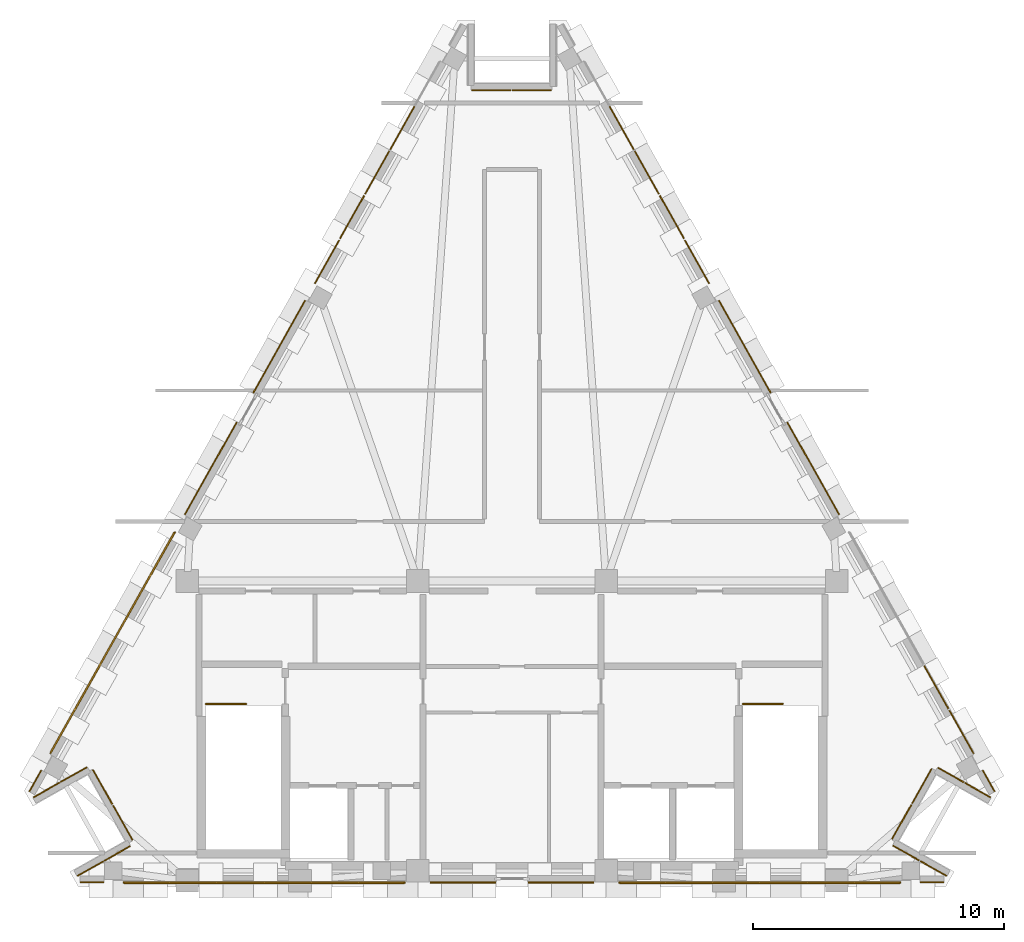
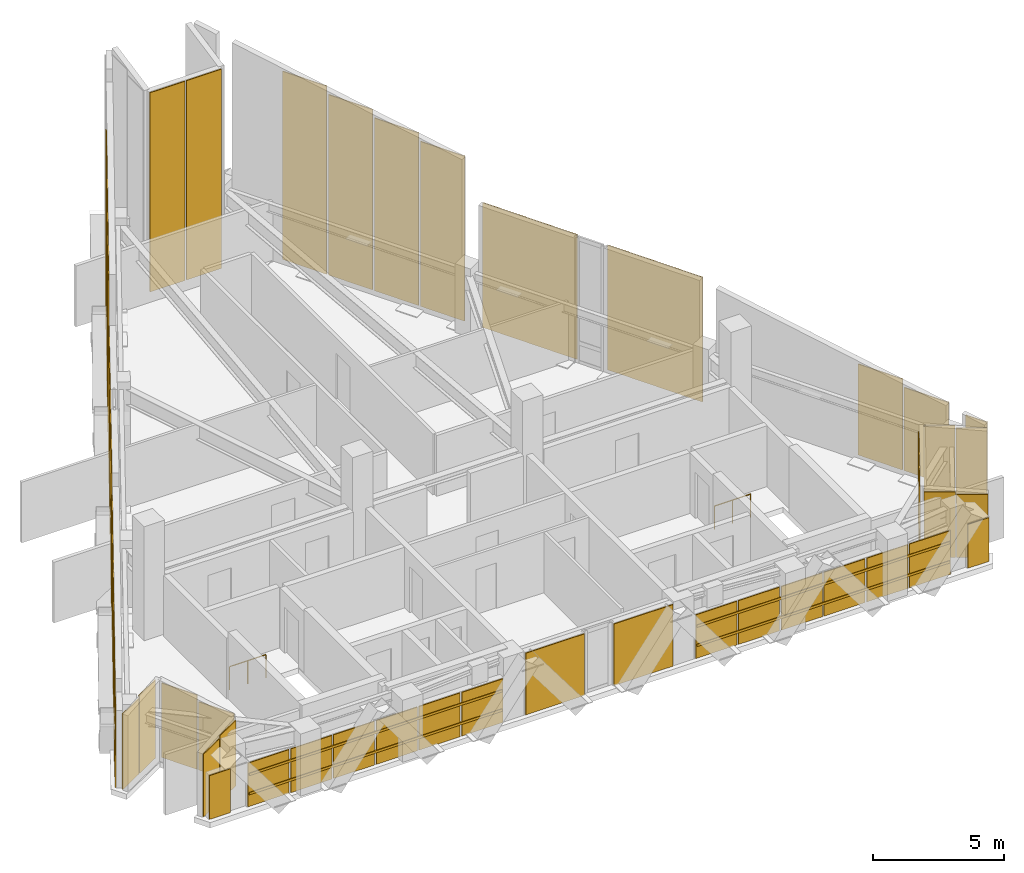
# One storey, part 6 of 7: 51 coverings, 6 shading devices, 2 railings.
"""IFC4 building model written with IfcOpenShell, lengths in metres."""

from ifc_helpers import new_model, si_unit, direction, frame, origin, origin_2d, place, context, subcontext, project, spatial, polyline, rectangle, circle, outline, extrude, material, layer, layer_set, material_profile, profile_set, type_object, element, save


model = new_model("IFC4")

# Units and contexts
model_context = context("Model", 3, precision=1e-05, world=origin(), true_north=direction((0.0, 1.0)))
body_context = subcontext(model_context, "Body", "Model", "MODEL_VIEW")
ifc_project = project(units=[si_unit("LENGTHUNIT", "METRE"), si_unit("AREAUNIT", "SQUARE_METRE"), si_unit("VOLUMEUNIT", "CUBIC_METRE"), si_unit("PLANEANGLEUNIT", "RADIAN"), si_unit("MASSUNIT", "GRAM", prefix="KILO")], contexts=[model_context])

# Site, building, storey
site_placement = place(None, origin())
site = spatial("IfcSite", under=ifc_project, at=site_placement, CompositionType="ELEMENT")
building_placement = place(site_placement, origin())
building = spatial("IfcBuilding", under=site, at=building_placement, Name="Quenlor Broadcast Tower", CompositionType="ELEMENT")
storey_placement = place(building_placement, frame((0.0, 0.0, 286.89990234375)))
storey = spatial("IfcBuildingStorey", under=building, at=storey_placement, Name="L80", CompositionType="ELEMENT", Elevation=286.89990234375)

# Shading devices
ifc_material_1 = material(Name="Architectural Terracotta Ceramic", Category="masonry")
ifc_material_profile = material_profile(ifc_material_1, rectangle(XDim=0.074951171875, YDim=0.110107421875, at=origin_2d()))
ifc_profile_set = profile_set([ifc_material_profile], Name="Architectural Terracotta Ceramic BAG75x110")
shading_device_type = type_object("IfcShadingDeviceType", Name="Copper Terracotta Crown Baguette Screen 110", PredefinedType="USERDEFINED", material=ifc_profile_set)
for number, where, z_axis, x_axis, name in (
    (1, (15.462646484375, -16.83056640625, 1.530029296875), (-1.0, 0.0, 0.0), (0.0, -1.0, 0.0), "L80 Crown Wing Terracotta Baguette SA-1"),
    (2, (15.462646484375, -16.83056640625, 0.630126953125), (-1.0, 0.0, 0.0), (0.0, -1.0, 0.0), "L80 Crown Wing Terracotta Baguette SA-2"),
    (3, (-4.300048828125, -16.83056640625, 1.530029296875), (-1.0, 0.0, 0.0), (0.0, -1.0, 0.0), "L80 Crown Wing Terracotta Baguette SC-1"),
    (4, (-4.300048828125, -16.83056640625, 0.630126953125), (-1.0, 0.0, 0.0), (0.0, -1.0, 0.0), "L80 Crown Wing Terracotta Baguette SC-2"),
):
    element("IfcShadingDevice", number, at=place(storey_placement, frame(where, z_axis=z_axis, x_axis=x_axis)), inside=storey, type_object=shading_device_type, Name=name, ObjectType="BAGUETTE", PredefinedType="USERDEFINED", context=body_context, shape_type="SweptSolid", body=[
        extrude(rectangle(XDim=0.074951171875, YDim=0.110107421875, at=origin_2d()), origin(), (0.0, 0.0, 1.0), 11.16259765625),
    ])
for number, where, z_axis, x_axis, name in (
    (5, (-18.3876953125, -11.635009765625, 3.36181640625), (0.482487653774, 0.857769102611, 0.177307164438), (-0.871578778879, 0.490255476468, 0.0), "L80 Crown Wing Terracotta Baguette NWA-1"),
    (6, (-18.3876953125, -11.635009765625, 2.4619140625), (0.482489697628, 0.857772736186, 0.177284022799), (-0.871578778879, 0.490255476468, 0.0), "L80 Crown Wing Terracotta Baguette NWA-2"),
):
    element("IfcShadingDevice", number, at=place(storey_placement, frame(where, z_axis=z_axis, x_axis=x_axis)), inside=storey, type_object=shading_device_type, Name=name, ObjectType="BAGUETTE", PredefinedType="USERDEFINED", context=body_context, shape_type="SweptSolid", body=[
        extrude(rectangle(XDim=0.074951171875, YDim=0.110107421875, at=origin_2d()), origin(), (0.0, 0.0, 1.0), 10.21826171875),
    ])

# Coverings
ifc_material_2 = material(Name="Architectural Terracotta Ceramic", Category="masonry")
ifc_layer = layer(ifc_material_2, 0.044921875)
ifc_layer_set = layer_set([ifc_layer], Name="Fluted Terracotta Rainscreen Cladding Panel")
covering_type = type_object("IfcCoveringType", Name="Fluted Terracotta Rainscreen Cladding Panel", PredefinedType="CLADDING", material=ifc_layer_set)
covering_1_placement = place(storey_placement, frame((0.0, 0.0, 0.02001953125)))
element("IfcCovering", 7, at=covering_1_placement, inside=storey, type_object=covering_type, Name="L80 Sloped Crown Terracotta Cladding L80-SHD-SS0.1", PredefinedType="CLADDING", context=body_context, shape_type="SweptSolid", body=[
    extrude(outline(polyline([(17.20068359375, -16.787109375), (16.27197265625, -16.787109375), (16.27197265625, -16.83203125), (17.20068359375, -16.83203125), (17.20068359375, -16.787109375)])), origin(), (0.0, 0.0, 1.0), 2.0400390625),
])
covering_2_placement = place(storey_placement, frame((0.0, 0.0, 0.02001953125)))
element("IfcCovering", 8, at=covering_2_placement, inside=storey, type_object=covering_type, Name="L80 Sloped Crown Terracotta Cladding L80-SHD-SS1.1", PredefinedType="CLADDING", context=body_context, shape_type="SweptSolid", body=[
    extrude(outline(polyline([(-16.27197265625, -16.787109375), (-17.20068359375, -16.787109375), (-17.20068359375, -16.83203125), (-16.27197265625, -16.83203125), (-16.27197265625, -16.787109375)])), origin(), (0.0, 0.0, 1.0), 2.0400390625),
])
covering_3_placement = place(storey_placement, frame((0.0, 0.0, 0.02001953125)))
element("IfcCovering", 9, at=covering_3_placement, inside=storey, type_object=covering_type, Name="L80 Sloped Crown Terracotta Cladding L80-EW-SA.1", PredefinedType="CLADDING", context=body_context, shape_type="SweptSolid", body=[
    extrude(outline(polyline([(15.5048828125, -16.797119140625), (13.693115234375, -16.797119140625), (13.693115234375, -16.842041015625), (15.5048828125, -16.842041015625), (15.5048828125, -16.797119140625)])), origin(), (0.0, 0.0, 1.0), 2.0400390625),
])
covering_4_placement = place(storey_placement, frame((0.0, 0.0, 0.02001953125)))
element("IfcCovering", 10, at=covering_4_placement, inside=storey, type_object=covering_type, Name="L80 Sloped Crown Terracotta Cladding L80-EW-SA.2", PredefinedType="CLADDING", context=body_context, shape_type="SweptSolid", body=[
    extrude(outline(polyline([(13.617919921875, -16.797119140625), (11.80615234375, -16.797119140625), (11.80615234375, -16.842041015625), (13.617919921875, -16.842041015625), (13.617919921875, -16.797119140625)])), origin(), (0.0, 0.0, 1.0), 2.0400390625),
])
covering_5_placement = place(storey_placement, frame((0.0, 0.0, 0.02001953125)))
element("IfcCovering", 11, at=covering_5_placement, inside=storey, type_object=covering_type, Name="L80 Sloped Crown Terracotta Cladding L80-EW-SA.3", PredefinedType="CLADDING", context=body_context, shape_type="SweptSolid", body=[
    extrude(outline(polyline([(11.730712890625, -16.797119140625), (9.9189453125, -16.797119140625), (9.9189453125, -16.842041015625), (11.730712890625, -16.842041015625), (11.730712890625, -16.797119140625)])), origin(), (0.0, 0.0, 1.0), 2.0400390625),
])
covering_6_placement = place(storey_placement, frame((0.0, 0.0, 0.02001953125)))
element("IfcCovering", 12, at=covering_6_placement, inside=storey, type_object=covering_type, Name="L80 Sloped Crown Terracotta Cladding L80-EW-SA.4", PredefinedType="CLADDING", context=body_context, shape_type="SweptSolid", body=[
    extrude(outline(polyline([(9.843505859375, -16.797119140625), (8.031982421875, -16.797119140625), (8.031982421875, -16.842041015625), (9.843505859375, -16.842041015625), (9.843505859375, -16.797119140625)])), origin(), (0.0, 0.0, 1.0), 2.0400390625),
])
covering_7_placement = place(storey_placement, frame((0.0, 0.0, 0.02001953125)))
element("IfcCovering", 13, at=covering_7_placement, inside=storey, type_object=covering_type, Name="L80 Sloped Crown Terracotta Cladding L80-EW-SA.5", PredefinedType="CLADDING", context=body_context, shape_type="SweptSolid", body=[
    extrude(outline(polyline([(7.95654296875, -16.797119140625), (6.144775390625, -16.797119140625), (6.144775390625, -16.842041015625), (7.95654296875, -16.842041015625), (7.95654296875, -16.797119140625)])), origin(), (0.0, 0.0, 1.0), 2.0400390625),
])
covering_8_placement = place(storey_placement, frame((0.0, 0.0, 0.02001953125)))
element("IfcCovering", 14, at=covering_8_placement, inside=storey, type_object=covering_type, Name="L80 Sloped Crown Terracotta Cladding L80-EW-SA.6", PredefinedType="CLADDING", context=body_context, shape_type="SweptSolid", body=[
    extrude(outline(polyline([(6.0693359375, -16.797119140625), (4.2578125, -16.797119140625), (4.2578125, -16.842041015625), (6.0693359375, -16.842041015625), (6.0693359375, -16.797119140625)])), origin(), (0.0, 0.0, 1.0), 2.0400390625),
])
covering_9_placement = place(storey_placement, frame((0.0, 0.0, 0.02001953125)))
element("IfcCovering", 15, at=covering_9_placement, inside=storey, type_object=covering_type, Name="L80 Sloped Crown Terracotta Cladding L80-EW-SC.1", PredefinedType="CLADDING", context=body_context, shape_type="SweptSolid", body=[
    extrude(outline(polyline([(-4.2578125, -16.797119140625), (-6.0693359375, -16.797119140625), (-6.0693359375, -16.842041015625), (-4.2578125, -16.842041015625), (-4.2578125, -16.797119140625)])), origin(), (0.0, 0.0, 1.0), 2.0400390625),
])
covering_10_placement = place(storey_placement, frame((0.0, 0.0, 0.02001953125)))
element("IfcCovering", 16, at=covering_10_placement, inside=storey, type_object=covering_type, Name="L80 Sloped Crown Terracotta Cladding L80-EW-SC.2", PredefinedType="CLADDING", context=body_context, shape_type="SweptSolid", body=[
    extrude(outline(polyline([(-6.144775390625, -16.797119140625), (-7.95654296875, -16.797119140625), (-7.95654296875, -16.842041015625), (-6.144775390625, -16.842041015625), (-6.144775390625, -16.797119140625)])), origin(), (0.0, 0.0, 1.0), 2.0400390625),
])
covering_11_placement = place(storey_placement, frame((0.0, 0.0, 0.02001953125)))
element("IfcCovering", 17, at=covering_11_placement, inside=storey, type_object=covering_type, Name="L80 Sloped Crown Terracotta Cladding L80-EW-SC.3", PredefinedType="CLADDING", context=body_context, shape_type="SweptSolid", body=[
    extrude(outline(polyline([(-8.031982421875, -16.797119140625), (-9.843505859375, -16.797119140625), (-9.843505859375, -16.842041015625), (-8.031982421875, -16.842041015625), (-8.031982421875, -16.797119140625)])), origin(), (0.0, 0.0, 1.0), 2.0400390625),
])
covering_12_placement = place(storey_placement, frame((0.0, 0.0, 0.02001953125)))
element("IfcCovering", 18, at=covering_12_placement, inside=storey, type_object=covering_type, Name="L80 Sloped Crown Terracotta Cladding L80-EW-SC.4", PredefinedType="CLADDING", context=body_context, shape_type="SweptSolid", body=[
    extrude(outline(polyline([(-9.9189453125, -16.797119140625), (-11.730712890625, -16.797119140625), (-11.730712890625, -16.842041015625), (-9.9189453125, -16.842041015625), (-9.9189453125, -16.797119140625)])), origin(), (0.0, 0.0, 1.0), 2.0400390625),
])
covering_13_placement = place(storey_placement, frame((0.0, 0.0, 0.02001953125)))
element("IfcCovering", 19, at=covering_13_placement, inside=storey, type_object=covering_type, Name="L80 Sloped Crown Terracotta Cladding L80-EW-SC.5", PredefinedType="CLADDING", context=body_context, shape_type="SweptSolid", body=[
    extrude(outline(polyline([(-11.80615234375, -16.797119140625), (-13.617919921875, -16.797119140625), (-13.617919921875, -16.842041015625), (-11.80615234375, -16.842041015625), (-11.80615234375, -16.797119140625)])), origin(), (0.0, 0.0, 1.0), 2.0400390625),
])
covering_14_placement = place(storey_placement, frame((0.0, 0.0, 0.02001953125)))
element("IfcCovering", 20, at=covering_14_placement, inside=storey, type_object=covering_type, Name="L80 Sloped Crown Terracotta Cladding L80-EW-SC.6", PredefinedType="CLADDING", context=body_context, shape_type="SweptSolid", body=[
    extrude(outline(polyline([(-13.693115234375, -16.797119140625), (-15.5048828125, -16.797119140625), (-15.5048828125, -16.842041015625), (-13.693115234375, -16.842041015625), (-13.693115234375, -16.797119140625)])), origin(), (0.0, 0.0, 1.0), 2.0400390625),
])
covering_15_placement = place(storey_placement, frame((0.0, 0.0, 0.02001953125)))
element("IfcCovering", 21, at=covering_15_placement, inside=storey, type_object=covering_type, Name="L80 Terracotta Rainscreen Cladding L80-S-SP1", PredefinedType="CLADDING", context=body_context, shape_type="SweptSolid", body=[
    extrude(outline(polyline([(3.25, -16.797119140625), (0.65283203125, -16.797119140625), (0.65283203125, -16.842041015625), (3.25, -16.842041015625), (3.25, -16.797119140625)])), origin(), (0.0, 0.0, 1.0), 2.876220703125),
])
covering_16_placement = place(storey_placement, frame((0.0, 0.0, 0.02001953125)))
element("IfcCovering", 22, at=covering_16_placement, inside=storey, type_object=covering_type, Name="L80 Terracotta Rainscreen Cladding L80-S-SP2", PredefinedType="CLADDING", context=body_context, shape_type="SweptSolid", body=[
    extrude(outline(polyline([(-0.65283203125, -16.797119140625), (-3.25, -16.797119140625), (-3.25, -16.842041015625), (-0.65283203125, -16.842041015625), (-0.65283203125, -16.797119140625)])), origin(), (0.0, 0.0, 1.0), 2.876220703125),
])
covering_17_placement = place(storey_placement, frame((0.0, 0.0, 0.02001953125)))
element("IfcCovering", 23, at=covering_17_placement, inside=storey, type_object=covering_type, Name="L80 Sloped Crown Terracotta Cladding L80-SHD-NES1.1", PredefinedType="CLADDING", context=body_context, shape_type="SweptSolid", body=[
    extrude(outline(polyline([(18.746826171875, -12.3623046875), (19.215087890625, -13.194580078125), (19.25439453125, -13.172607421875), (18.7861328125, -12.34033203125), (18.746826171875, -12.3623046875)])), origin(), (0.0, 0.0, 1.0), 3.572998046875),
])
covering_18_placement = place(storey_placement, frame((0.0, 0.0, 0.02001953125)))
element("IfcCovering", 24, at=covering_18_placement, inside=storey, type_object=covering_type, Name="L80 Sloped Crown Terracotta Cladding L80-EW-NEA.2", PredefinedType="CLADDING", context=body_context, shape_type="SweptSolid", body=[
    extrude(outline(polyline([(3.8701171875, 14.105712890625), (4.831787109375, 12.396240234375), (4.870849609375, 12.418212890625), (3.9091796875, 14.1279296875), (3.8701171875, 14.105712890625)])), origin(), (0.0, 0.0, 1.0), 8.778564453125),
])
covering_19_placement = place(storey_placement, frame((0.0, 0.0, 0.02001953125)))
element("IfcCovering", 25, at=covering_19_placement, inside=storey, type_object=covering_type, Name="L80 Sloped Crown Terracotta Cladding L80-EW-NEA.3", PredefinedType="CLADDING", context=body_context, shape_type="SweptSolid", body=[
    extrude(outline(polyline([(4.871826171875, 12.324951171875), (5.83349609375, 10.615234375), (5.872802734375, 10.637451171875), (4.910888671875, 12.346923828125), (4.871826171875, 12.324951171875)])), origin(), (0.0, 0.0, 1.0), 8.416259765625),
])
covering_20_placement = place(storey_placement, frame((0.0, 0.0, 0.02001953125)))
element("IfcCovering", 26, at=covering_20_placement, inside=storey, type_object=covering_type, Name="L80 Sloped Crown Terracotta Cladding L80-EW-NEA.4", PredefinedType="CLADDING", context=body_context, shape_type="SweptSolid", body=[
    extrude(outline(polyline([(5.87353515625, 10.544189453125), (6.835205078125, 8.83447265625), (6.87451171875, 8.8564453125), (5.912841796875, 10.566162109375), (5.87353515625, 10.544189453125)])), origin(), (0.0, 0.0, 1.0), 8.053955078125),
])
covering_21_placement = place(storey_placement, frame((0.0, 0.0, 0.02001953125)))
element("IfcCovering", 27, at=covering_21_placement, inside=storey, type_object=covering_type, Name="L80 Sloped Crown Terracotta Cladding L80-EW-NEA.5", PredefinedType="CLADDING", context=body_context, shape_type="SweptSolid", body=[
    extrude(outline(polyline([(6.875244140625, 8.76318359375), (7.8369140625, 7.053466796875), (7.876220703125, 7.07568359375), (6.91455078125, 8.78515625), (6.875244140625, 8.76318359375)])), origin(), (0.0, 0.0, 1.0), 7.691650390625),
])
covering_22_placement = place(storey_placement, frame((0.0, 0.0, 0.02001953125)))
element("IfcCovering", 28, at=covering_22_placement, inside=storey, type_object=covering_type, Name="L80 Sloped Crown Terracotta Cladding L80-EW-NEC.4", PredefinedType="CLADDING", context=body_context, shape_type="SweptSolid", body=[
    extrude(outline(polyline([(16.414306640625, -8.195068359375), (17.3759765625, -9.90478515625), (17.415283203125, -9.8828125), (16.45361328125, -8.173095703125), (16.414306640625, -8.195068359375)])), origin(), (0.0, 0.0, 1.0), 4.241455078125),
])
covering_23_placement = place(storey_placement, frame((0.0, 0.0, 0.02001953125)))
element("IfcCovering", 29, at=covering_23_placement, inside=storey, type_object=covering_type, Name="L80 Sloped Crown Terracotta Cladding L80-EW-NEC.5", PredefinedType="CLADDING", context=body_context, shape_type="SweptSolid", body=[
    extrude(outline(polyline([(17.416015625, -9.97607421875), (18.377685546875, -11.685791015625), (18.4169921875, -11.66357421875), (17.455322265625, -9.9541015625), (17.416015625, -9.97607421875)])), origin(), (0.0, 0.0, 1.0), 3.879150390625),
])
covering_24_placement = place(storey_placement, frame((0.0, 0.0, 0.02001953125)))
element("IfcCovering", 30, at=covering_24_placement, inside=storey, type_object=covering_type, Name="L80 Terracotta Rainscreen Cladding L80-NE-SP1", PredefinedType="CLADDING", context=body_context, shape_type="SweptSolid", body=[
    extrude(outline(polyline([(8.22705078125, 6.35986328125), (10.290771484375, 2.691162109375), (10.330078125, 2.713134765625), (8.266357421875, 6.3818359375), (8.22705078125, 6.35986328125)])), origin(), (0.0, 0.0, 1.0), 5.81201171875),
])
covering_25_placement = place(storey_placement, frame((0.0, 0.0, 0.02001953125)))
element("IfcCovering", 31, at=covering_25_placement, inside=storey, type_object=covering_type, Name="L80 Terracotta Rainscreen Cladding L80-NE-SP2", PredefinedType="CLADDING", context=body_context, shape_type="SweptSolid", body=[
    extrude(outline(polyline([(10.955078125, 1.510009765625), (13.018798828125, -2.15869140625), (13.05810546875, -2.13671875), (10.994384765625, 1.531982421875), (10.955078125, 1.510009765625)])), origin(), (0.0, 0.0, 1.0), 5.81201171875),
])
covering_26_placement = place(storey_placement, frame((0.0, 0.0, 0.02001953125)))
element("IfcCovering", 32, at=covering_26_placement, inside=storey, type_object=covering_type, Name="L80 Sloped Crown Terracotta Cladding L80-SHD-NWS0.1", PredefinedType="CLADDING", context=body_context, shape_type="SweptSolid", body=[
    extrude(outline(polyline([(-19.215087890625, -13.194580078125), (-18.746826171875, -12.3623046875), (-18.7861328125, -12.34033203125), (-19.25439453125, -13.172607421875), (-19.215087890625, -13.194580078125)])), origin(), (0.0, 0.0, 1.0), 3.572998046875),
])
covering_27_placement = place(storey_placement, frame((0.0, 0.0, 0.02001953125)))
element("IfcCovering", 33, at=covering_27_placement, inside=storey, type_object=covering_type, Name="L80 Sloped Crown Terracotta Cladding L80-EW-NWA.1", PredefinedType="CLADDING", context=body_context, shape_type="SweptSolid", body=[
    extrude(outline(polyline([(-18.377685546875, -11.685791015625), (-17.416015625, -9.97607421875), (-17.455322265625, -9.9541015625), (-18.4169921875, -11.66357421875), (-18.377685546875, -11.685791015625)])), origin(), (0.0, 0.0, 1.0), 3.879150390625),
])
covering_28_placement = place(storey_placement, frame((0.0, 0.0, 0.02001953125)))
element("IfcCovering", 34, at=covering_28_placement, inside=storey, type_object=covering_type, Name="L80 Sloped Crown Terracotta Cladding L80-EW-NWA.2", PredefinedType="CLADDING", context=body_context, shape_type="SweptSolid", body=[
    extrude(outline(polyline([(-17.3759765625, -9.90478515625), (-16.414306640625, -8.195068359375), (-16.45361328125, -8.173095703125), (-17.415283203125, -9.8828125), (-17.3759765625, -9.90478515625)])), origin(), (0.0, 0.0, 1.0), 4.241455078125),
])
covering_29_placement = place(storey_placement, frame((0.0, 0.0, 0.02001953125)))
element("IfcCovering", 35, at=covering_29_placement, inside=storey, type_object=covering_type, Name="L80 Sloped Crown Terracotta Cladding L80-EW-NWA.3", PredefinedType="CLADDING", context=body_context, shape_type="SweptSolid", body=[
    extrude(outline(polyline([(-16.374267578125, -8.123779296875), (-15.41259765625, -6.414306640625), (-15.451904296875, -6.39208984375), (-16.41357421875, -8.101806640625), (-16.374267578125, -8.123779296875)])), origin(), (0.0, 0.0, 1.0), 4.603759765625),
])
covering_30_placement = place(storey_placement, frame((0.0, 0.0, 0.02001953125)))
element("IfcCovering", 36, at=covering_30_placement, inside=storey, type_object=covering_type, Name="L80 Sloped Crown Terracotta Cladding L80-EW-NWA.4", PredefinedType="CLADDING", context=body_context, shape_type="SweptSolid", body=[
    extrude(outline(polyline([(-15.37255859375, -6.343017578125), (-14.410888671875, -4.63330078125), (-14.449951171875, -4.611328125), (-15.41162109375, -6.321044921875), (-15.37255859375, -6.343017578125)])), origin(), (0.0, 0.0, 1.0), 4.966064453125),
])
covering_31_placement = place(storey_placement, frame((0.0, 0.0, 0.02001953125)))
element("IfcCovering", 37, at=covering_31_placement, inside=storey, type_object=covering_type, Name="L80 Sloped Crown Terracotta Cladding L80-EW-NWA.5", PredefinedType="CLADDING", context=body_context, shape_type="SweptSolid", body=[
    extrude(outline(polyline([(-14.370849609375, -4.56201171875), (-13.4091796875, -2.8525390625), (-13.4482421875, -2.830322265625), (-14.409912109375, -4.5400390625), (-14.370849609375, -4.56201171875)])), origin(), (0.0, 0.0, 1.0), 5.328369140625),
])
covering_32_placement = place(storey_placement, frame((0.0, 0.0, 0.02001953125)))
element("IfcCovering", 38, at=covering_32_placement, inside=storey, type_object=covering_type, Name="L80 Sloped Crown Terracotta Cladding L80-EW-NWC.1", PredefinedType="CLADDING", context=body_context, shape_type="SweptSolid", body=[
    extrude(outline(polyline([(-7.8369140625, 7.053466796875), (-6.875244140625, 8.76318359375), (-6.91455078125, 8.78515625), (-7.876220703125, 7.07568359375), (-7.8369140625, 7.053466796875)])), origin(), (0.0, 0.0, 1.0), 7.691650390625),
])
covering_33_placement = place(storey_placement, frame((0.0, 0.0, 0.02001953125)))
element("IfcCovering", 39, at=covering_33_placement, inside=storey, type_object=covering_type, Name="L80 Sloped Crown Terracotta Cladding L80-EW-NWC.2", PredefinedType="CLADDING", context=body_context, shape_type="SweptSolid", body=[
    extrude(outline(polyline([(-6.835205078125, 8.83447265625), (-5.87353515625, 10.544189453125), (-5.912841796875, 10.566162109375), (-6.87451171875, 8.8564453125), (-6.835205078125, 8.83447265625)])), origin(), (0.0, 0.0, 1.0), 8.053955078125),
])
covering_34_placement = place(storey_placement, frame((0.0, 0.0, 0.02001953125)))
element("IfcCovering", 40, at=covering_34_placement, inside=storey, type_object=covering_type, Name="L80 Sloped Crown Terracotta Cladding L80-EW-NWC.3", PredefinedType="CLADDING", context=body_context, shape_type="SweptSolid", body=[
    extrude(outline(polyline([(-5.83349609375, 10.615234375), (-4.871826171875, 12.324951171875), (-4.910888671875, 12.346923828125), (-5.872802734375, 10.637451171875), (-5.83349609375, 10.615234375)])), origin(), (0.0, 0.0, 1.0), 8.416259765625),
])
covering_35_placement = place(storey_placement, frame((0.0, 0.0, 0.02001953125)))
element("IfcCovering", 41, at=covering_35_placement, inside=storey, type_object=covering_type, Name="L80 Sloped Crown Terracotta Cladding L80-EW-NWC.4", PredefinedType="CLADDING", context=body_context, shape_type="SweptSolid", body=[
    extrude(outline(polyline([(-4.831787109375, 12.396240234375), (-3.8701171875, 14.105712890625), (-3.9091796875, 14.1279296875), (-4.870849609375, 12.418212890625), (-4.831787109375, 12.396240234375)])), origin(), (0.0, 0.0, 1.0), 8.778564453125),
])
covering_36_placement = place(storey_placement, frame((0.0, 0.0, 0.02001953125)))
element("IfcCovering", 42, at=covering_36_placement, inside=storey, type_object=covering_type, Name="L80 Terracotta Rainscreen Cladding L80-NW-SP1", PredefinedType="CLADDING", context=body_context, shape_type="SweptSolid", body=[
    extrude(outline(polyline([(-13.018798828125, -2.15869140625), (-10.955078125, 1.510009765625), (-10.994384765625, 1.531982421875), (-13.05810546875, -2.13671875), (-13.018798828125, -2.15869140625)])), origin(), (0.0, 0.0, 1.0), 5.81201171875),
])
covering_37_placement = place(storey_placement, frame((0.0, 0.0, 0.02001953125)))
element("IfcCovering", 43, at=covering_37_placement, inside=storey, type_object=covering_type, Name="L80 Terracotta Rainscreen Cladding L80-NW-SP2", PredefinedType="CLADDING", context=body_context, shape_type="SweptSolid", body=[
    extrude(outline(polyline([(-10.290771484375, 2.691162109375), (-8.22705078125, 6.35986328125), (-8.266357421875, 6.3818359375), (-10.330078125, 2.713134765625), (-10.290771484375, 2.691162109375)])), origin(), (0.0, 0.0, 1.0), 5.81201171875),
])
covering_38_placement = place(storey_placement, frame((0.0, 0.0, 0.02001953125)))
element("IfcCovering", 44, at=covering_38_placement, inside=storey, type_object=covering_type, Name="L80 Sloped Crown Terracotta Cladding L80-CNR-01.1", PredefinedType="CLADDING", context=body_context, shape_type="SweptSolid", body=[
    extrude(outline(polyline([(17.3310546875, -16.531982421875), (16.28515625, -15.943603515625), (16.26318359375, -15.98291015625), (17.308837890625, -16.5712890625), (17.3310546875, -16.531982421875)])), origin(), (0.0, 0.0, 1.0), 2.92529296875),
])
covering_39_placement = place(storey_placement, frame((0.0, 0.0, 0.02001953125)))
element("IfcCovering", 45, at=covering_39_placement, inside=storey, type_object=covering_type, Name="L80 Sloped Crown Terracotta Cladding L80-CNR-01.2", PredefinedType="CLADDING", context=body_context, shape_type="SweptSolid", body=[
    extrude(outline(polyline([(16.241455078125, -15.919189453125), (15.19580078125, -15.330810546875), (15.173583984375, -15.3701171875), (16.219482421875, -15.958251953125), (16.241455078125, -15.919189453125)])), origin(), (0.0, 0.0, 1.0), 3.0498046875),
])
covering_40_placement = place(storey_placement, frame((0.0, 0.0, 0.02001953125)))
element("IfcCovering", 46, at=covering_40_placement, inside=storey, type_object=covering_type, Name="L80 Sloped Crown Terracotta Cladding L80-CNR-02.1", PredefinedType="CLADDING", context=body_context, shape_type="SweptSolid", body=[
    extrude(outline(polyline([(15.166748046875, -15.1025390625), (15.937744140625, -13.73193359375), (15.898681640625, -13.7099609375), (15.127685546875, -15.08056640625), (15.166748046875, -15.1025390625)])), origin(), (0.0, 0.0, 1.0), 3.18505859375),
])
covering_41_placement = place(storey_placement, frame((0.0, 0.0, 0.02001953125)))
element("IfcCovering", 47, at=covering_41_placement, inside=storey, type_object=covering_type, Name="L80 Sloped Crown Terracotta Cladding L80-CNR-02.2", PredefinedType="CLADDING", context=body_context, shape_type="SweptSolid", body=[
    extrude(outline(polyline([(15.969970703125, -13.6748046875), (16.74072265625, -12.304443359375), (16.70166015625, -12.282470703125), (15.9306640625, -13.65283203125), (15.969970703125, -13.6748046875)])), origin(), (0.0, 0.0, 1.0), 3.4755859375),
])
covering_42_placement = place(storey_placement, frame((0.0, 0.0, 0.02001953125)))
element("IfcCovering", 48, at=covering_42_placement, inside=storey, type_object=covering_type, Name="L80 Sloped Crown Terracotta Cladding L80-CNR-03.1", PredefinedType="CLADDING", context=body_context, shape_type="SweptSolid", body=[
    extrude(outline(polyline([(16.9658203125, -12.264892578125), (17.994873046875, -12.84375), (18.016845703125, -12.8046875), (16.98779296875, -12.2255859375), (16.9658203125, -12.264892578125)])), origin(), (0.0, 0.0, 1.0), 3.635986328125),
])
covering_43_placement = place(storey_placement, frame((0.0, 0.0, 0.02001953125)))
element("IfcCovering", 49, at=covering_43_placement, inside=storey, type_object=covering_type, Name="L80 Sloped Crown Terracotta Cladding L80-CNR-03.2", PredefinedType="CLADDING", context=body_context, shape_type="SweptSolid", body=[
    extrude(outline(polyline([(18.037841796875, -12.867919921875), (19.06689453125, -13.44677734375), (19.0888671875, -13.40771484375), (18.059814453125, -12.82861328125), (18.037841796875, -12.867919921875)])), origin(), (0.0, 0.0, 1.0), 3.51318359375),
])
covering_44_placement = place(storey_placement, frame((0.0, 0.0, 0.02001953125)))
element("IfcCovering", 50, at=covering_44_placement, inside=storey, type_object=covering_type, Name="L80 Sloped Crown Terracotta Cladding L80-CNR-08.1", PredefinedType="CLADDING", context=body_context, shape_type="SweptSolid", body=[
    extrude(outline(polyline([(1.556640625, 14.7880859375), (0.01220703125, 14.7880859375), (0.01220703125, 14.742919921875), (1.556640625, 14.742919921875), (1.556640625, 14.7880859375)])), origin(), (0.0, 0.0, 1.0), 9.30029296875),
])
covering_45_placement = place(storey_placement, frame((0.0, 0.0, 0.02001953125)))
element("IfcCovering", 51, at=covering_45_placement, inside=storey, type_object=covering_type, Name="L80 Sloped Crown Terracotta Cladding L80-CNR-08.2", PredefinedType="CLADDING", context=body_context, shape_type="SweptSolid", body=[
    extrude(outline(polyline([(-0.05224609375, 14.7880859375), (-1.5966796875, 14.7880859375), (-1.5966796875, 14.742919921875), (-0.05224609375, 14.742919921875), (-0.05224609375, 14.7880859375)])), origin(), (0.0, 0.0, 1.0), 9.30029296875),
])
covering_46_placement = place(storey_placement, frame((0.0, 0.0, 0.02001953125)))
element("IfcCovering", 52, at=covering_46_placement, inside=storey, type_object=covering_type, Name="L80 Sloped Crown Terracotta Cladding L80-CNR-13.1", PredefinedType="CLADDING", context=body_context, shape_type="SweptSolid", body=[
    extrude(outline(polyline([(-19.06640625, -13.446533203125), (-18.020751953125, -12.8583984375), (-18.042724609375, -12.819091796875), (-19.088623046875, -13.407470703125), (-19.06640625, -13.446533203125)])), origin(), (0.0, 0.0, 1.0), 3.51318359375),
])
covering_47_placement = place(storey_placement, frame((0.0, 0.0, 0.02001953125)))
element("IfcCovering", 53, at=covering_47_placement, inside=storey, type_object=covering_type, Name="L80 Sloped Crown Terracotta Cladding L80-CNR-13.2", PredefinedType="CLADDING", context=body_context, shape_type="SweptSolid", body=[
    extrude(outline(polyline([(-17.97705078125, -12.833740234375), (-16.93115234375, -12.245361328125), (-16.953369140625, -12.206298828125), (-17.9990234375, -12.794677734375), (-17.97705078125, -12.833740234375)])), origin(), (0.0, 0.0, 1.0), 3.637939453125),
])
covering_48_placement = place(storey_placement, frame((0.0, 0.0, 0.02001953125)))
element("IfcCovering", 54, at=covering_48_placement, inside=storey, type_object=covering_type, Name="L80 Sloped Crown Terracotta Cladding L80-CNR-14.1", PredefinedType="CLADDING", context=body_context, shape_type="SweptSolid", body=[
    extrude(outline(polyline([(-16.72119140625, -12.33935546875), (-15.9501953125, -13.709716796875), (-15.9111328125, -13.687744140625), (-16.681884765625, -12.3173828125), (-16.72119140625, -12.33935546875)])), origin(), (0.0, 0.0, 1.0), 3.46826171875),
])
covering_49_placement = place(storey_placement, frame((0.0, 0.0, 0.02001953125)))
element("IfcCovering", 55, at=covering_49_placement, inside=storey, type_object=covering_type, Name="L80 Sloped Crown Terracotta Cladding L80-CNR-14.2", PredefinedType="CLADDING", context=body_context, shape_type="SweptSolid", body=[
    extrude(outline(polyline([(-15.918212890625, -13.766845703125), (-15.147216796875, -15.137451171875), (-15.10791015625, -15.115478515625), (-15.87890625, -13.744873046875), (-15.918212890625, -13.766845703125)])), origin(), (0.0, 0.0, 1.0), 3.177978515625),
])
covering_50_placement = place(storey_placement, frame((0.0, 0.0, 0.02001953125)))
element("IfcCovering", 56, at=covering_50_placement, inside=storey, type_object=covering_type, Name="L80 Sloped Crown Terracotta Cladding L80-CNR-15.1", PredefinedType="CLADDING", context=body_context, shape_type="SweptSolid", body=[
    extrude(outline(polyline([(-15.230224609375, -15.35009765625), (-16.25927734375, -15.92919921875), (-16.2373046875, -15.96826171875), (-15.208251953125, -15.389404296875), (-15.230224609375, -15.35009765625)])), origin(), (0.0, 0.0, 1.0), 3.0478515625),
])
covering_51_placement = place(storey_placement, frame((0.0, 0.0, 0.02001953125)))
element("IfcCovering", 57, at=covering_51_placement, inside=storey, type_object=covering_type, Name="L80 Sloped Crown Terracotta Cladding L80-CNR-15.2", PredefinedType="CLADDING", context=body_context, shape_type="SweptSolid", body=[
    extrude(outline(polyline([(-16.30224609375, -15.953125), (-17.331298828125, -16.5322265625), (-17.309326171875, -16.5712890625), (-16.2802734375, -15.992431640625), (-16.30224609375, -15.953125)])), origin(), (0.0, 0.0, 1.0), 2.92529296875),
])

# Railings
ifc_material_3 = material(Name="Steel S355", Category="steel")
railing_type = type_object("IfcRailingType", Name="Tubular Steel S355 Stair Guardrail 1100", PredefinedType="BALUSTRADE", material=ifc_material_3)
railing_1_placement = place(storey_placement, frame((-12.199951171875, -9.699951171875, 0.0)))
element("IfcRailing", 58, at=railing_1_placement, inside=storey, type_object=railing_type, Name="L80 ST-1 top well guard 1", PredefinedType="BALUSTRADE", context=body_context, shape_type="SweptSolid", body=[
    extrude(circle(Radius=0.02392578125, at=origin_2d()), frame((0.0, 0.0, 1.076171875), z_axis=(1.0, 0.0, 0.0), x_axis=(0.0, 1.0, 0.0)), (0.0, 0.0, 1.0), 1.599853515625),
    extrude(circle(Radius=0.02099609375, at=origin_2d()), origin(), (0.0, 0.0, 1.0), 1.052001953125),
    extrude(circle(Radius=0.02099609375, at=origin_2d()), frame((0.7998046875, 0.0, 0.0)), (0.0, 0.0, 1.0), 1.052001953125),
    extrude(circle(Radius=0.02099609375, at=origin_2d()), frame((1.599853515625, 0.0, 0.0)), (0.0, 0.0, 1.0), 1.052001953125),
])
railing_2_placement = place(storey_placement, frame((9.199951171875, -9.699951171875, 0.0)))
element("IfcRailing", 59, at=railing_2_placement, inside=storey, type_object=railing_type, Name="L80 ST-2 top well guard 1", PredefinedType="BALUSTRADE", context=body_context, shape_type="SweptSolid", body=[
    extrude(circle(Radius=0.02392578125, at=origin_2d()), frame((0.0, 0.0, 1.076171875), z_axis=(1.0, 0.0, 0.0), x_axis=(0.0, 1.0, 0.0)), (0.0, 0.0, 1.0), 1.60009765625),
    extrude(circle(Radius=0.02099609375, at=origin_2d()), origin(), (0.0, 0.0, 1.0), 1.052001953125),
    extrude(circle(Radius=0.02099609375, at=origin_2d()), frame((0.800048828125, 0.0, 0.0)), (0.0, 0.0, 1.0), 1.052001953125),
    extrude(circle(Radius=0.02099609375, at=origin_2d()), frame((1.60009765625, 0.0, 0.0)), (0.0, 0.0, 1.0), 1.052001953125),
])

save(model, "model.ifc")
